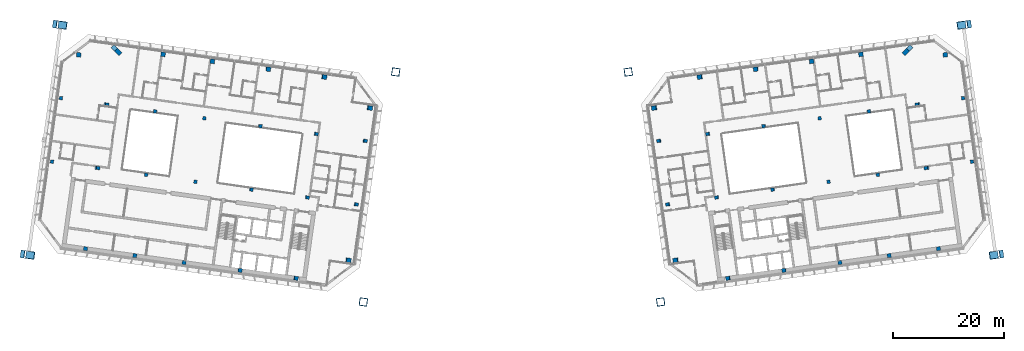
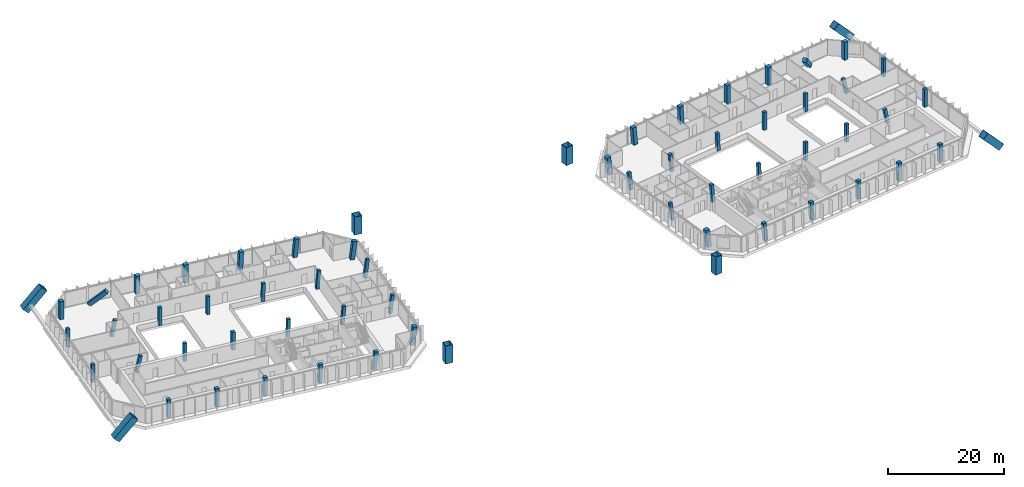
# One storey, part 1 of 29: 62 columns.
"""IFC4 building model written with IfcOpenShell, lengths in metres."""

from ifc_helpers import new_model, si_unit, direction, frame, origin, origin_2d, place, context, subcontext, project, spatial, rectangle, hollow_rectangle, extrude, material, material_profile, profile_set, type_object, element, save


model = new_model("IFC4")

# Units and contexts
model_context = context("Model", 3, precision=1e-05, world=origin(), true_north=direction((0.0, 1.0)))
body_context = subcontext(model_context, "Body", "Model", "MODEL_VIEW")
ifc_project = project(units=[si_unit("LENGTHUNIT", "METRE"), si_unit("AREAUNIT", "SQUARE_METRE"), si_unit("VOLUMEUNIT", "CUBIC_METRE"), si_unit("PLANEANGLEUNIT", "RADIAN"), si_unit("MASSUNIT", "GRAM", prefix="KILO")], contexts=[model_context])

# Site, building, storey
site_placement = place(None, origin())
site = spatial("IfcSite", under=ifc_project, at=site_placement, CompositionType="ELEMENT")
building_placement = place(site_placement, origin())
building = spatial("IfcBuilding", under=site, at=building_placement, Name="Mirante Cascada Hotel Towers", CompositionType="ELEMENT")
storey_placement = place(building_placement, frame((0.0, 0.0, 206.8)))
storey = spatial("IfcBuildingStorey", under=building, at=storey_placement, Name="L49", CompositionType="ELEMENT", Elevation=206.8)

# Columns
ifc_material_1 = material(Name="Steel ASTM A572 Gr 50", Category="steel")
ifc_material_profile_1 = material_profile(ifc_material_1, hollow_rectangle(XDim=1.4, YDim=1.4, WallThickness=0.06, at=origin_2d()), Name="Box column 1400x1400x60 ASTM A572 Gr 50")
ifc_profile_set_1 = profile_set([ifc_material_profile_1], Name="Steel ASTM A572 Gr 50")
column_type_1 = type_object("IfcColumnType", Name="Box column 1400x1400x60 ASTM A572 Gr 50", PredefinedType="COLUMN", material=ifc_profile_set_1)
for number, where, z_axis, x_axis, name in (
    (1, (-21.0321, 17.946, 0.0), (0.0, 0.0, 1.0), (-0.9902681, 0.1391731, 0.0), "Mega column MC1 T1 L49"),
    (2, (-26.8774, -23.6452, 0.0), (0.0, 0.0, 1.0), (-0.9902681, 0.1391731, 0.0), "Mega column MC2 T1 L49"),
):
    element("IfcColumn", number, at=place(storey_placement, frame(where, z_axis=z_axis, x_axis=x_axis)), inside=storey, type_object=column_type_1, Name=name, PredefinedType="COLUMN", context=body_context, shape_type="SweptSolid", body=[
        extrude(hollow_rectangle(XDim=1.4, YDim=1.4, WallThickness=0.06, at=origin_2d()), origin(), (0.0, 0.0, 1.0), 3.8),
    ])
column_1_placement = place(storey_placement, frame((-82.5324, 26.5893, 0.0), z_axis=(0.6698292, -0.0941393, 0.7365233), x_axis=(0.1391745, 0.9902679, 0.0)))
element("IfcColumn", 3, at=column_1_placement, inside=storey, type_object=column_type_1, Name="Mega column MC3 T1 L49", PredefinedType="COLUMN", context=body_context, shape_type="SweptSolid", body=[
    extrude(hollow_rectangle(XDim=1.4, YDim=1.4, WallThickness=0.06, at=origin_2d()), origin(), (0.0, 0.0, 1.0), 5.1594),
])
column_2_placement = place(storey_placement, frame((-88.3776, -15.0019, 0.0), z_axis=(0.6698185, -0.0941405, 0.7365329), x_axis=(0.1391784, 0.9902673, 0.0)))
element("IfcColumn", 4, at=column_2_placement, inside=storey, type_object=column_type_1, Name="Mega column MC4 T1 L49", PredefinedType="COLUMN", context=body_context, shape_type="SweptSolid", body=[
    extrude(hollow_rectangle(XDim=1.4, YDim=1.4, WallThickness=0.06, at=origin_2d()), origin(), (0.0, 0.0, 1.0), 5.1593),
])
for number, where, z_axis, x_axis, name in (
    (5, (21.0321, 17.946, 0.0), (0.0, 0.0, 1.0), (0.9902681, 0.1391731, 0.0), "Mega column MC1 T2 L49"),
    (6, (26.8774, -23.6452, 0.0), (0.0, 0.0, 1.0), (0.9902681, 0.1391731, 0.0), "Mega column MC2 T2 L49"),
):
    element("IfcColumn", number, at=place(storey_placement, frame(where, z_axis=z_axis, x_axis=x_axis)), inside=storey, type_object=column_type_1, Name=name, PredefinedType="COLUMN", context=body_context, shape_type="SweptSolid", body=[
        extrude(hollow_rectangle(XDim=1.4, YDim=1.4, WallThickness=0.06, at=origin_2d()), origin(), (0.0, 0.0, 1.0), 3.8),
    ])
column_3_placement = place(storey_placement, frame((82.5324, 26.5893, 0.0), z_axis=(-0.6698292, -0.0941393, 0.7365233), x_axis=(0.1391745, -0.9902679, 0.0)))
element("IfcColumn", 7, at=column_3_placement, inside=storey, type_object=column_type_1, Name="Mega column MC3 T2 L49", PredefinedType="COLUMN", context=body_context, shape_type="SweptSolid", body=[
    extrude(hollow_rectangle(XDim=1.4, YDim=1.4, WallThickness=0.06, at=origin_2d()), origin(), (0.0, 0.0, 1.0), 5.1594),
])
column_4_placement = place(storey_placement, frame((88.3776, -15.0019, 0.0), z_axis=(-0.6698185, -0.0941405, 0.7365329), x_axis=(0.1391784, -0.9902673, 0.0)))
element("IfcColumn", 8, at=column_4_placement, inside=storey, type_object=column_type_1, Name="Mega column MC4 T2 L49", PredefinedType="COLUMN", context=body_context, shape_type="SweptSolid", body=[
    extrude(hollow_rectangle(XDim=1.4, YDim=1.4, WallThickness=0.06, at=origin_2d()), origin(), (0.0, 0.0, 1.0), 5.1593),
])
ifc_material_2 = material(Name="Concrete C50/60", Category="concrete")
ifc_material_profile_2 = material_profile(ifc_material_2, rectangle(XDim=0.6, YDim=0.6, at=origin_2d()), Name="RC column 600x600 C50/60")
ifc_profile_set_2 = profile_set([ifc_material_profile_2], Name="Concrete C50/60")
column_type_2 = type_object("IfcColumnType", Name="RC column 600x600 C50/60", PredefinedType="COLUMN", material=ifc_profile_set_2)
for number, where, z_axis, x_axis, name in (
    (9, (-26.6181, 5.5023, 0.004), (0.1246866, -0.0175054, 0.9920417), (0.1390316, 0.9902879, 0.0), "Column T1 L49 2"),
    (10, (-28.2326, -5.9848, 0.004), (0.1247124, -0.0175053, 0.9920385), (0.1390029, 0.990292, 0.0), "Column T1 L49 3"),
):
    element("IfcColumn", number, at=place(storey_placement, frame(where, z_axis=z_axis, x_axis=x_axis)), inside=storey, type_object=column_type_2, Name=name, PredefinedType="COLUMN", context=body_context, shape_type="SweptSolid", body=[
        extrude(rectangle(XDim=0.6, YDim=0.6, at=origin_2d()), origin(), (0.0, 0.0, 1.0), 3.816),
    ])
for number, where, z_axis, x_axis, name in (
    (11, (-35.4448, 6.7428, 0.004), (0.0896358, -0.01258, 0.9958952), (0.1389836, 0.9902947, 0.0), "Column T1 L49 6"),
    (12, (-37.0592, -4.7443, 0.004), (0.0896358, -0.01258, 0.9958952), (0.1389836, 0.9902947, 0.0), "Column T1 L49 7"),
):
    element("IfcColumn", number, at=place(storey_placement, frame(where, z_axis=z_axis, x_axis=x_axis)), inside=storey, type_object=column_type_2, Name=name, PredefinedType="COLUMN", context=body_context, shape_type="SweptSolid", body=[
        extrude(rectangle(XDim=0.6, YDim=0.6, at=origin_2d()), origin(), (0.0, 0.0, 1.0), 3.8076),
    ])
for number, where, z_axis, x_axis, name in (
    (13, (-45.5413, 8.1618, 0.004), (0.0449694, -0.0063226, 0.9989684), (0.1392282, 0.9902603, 0.0), "Column T1 L49 10"),
    (14, (-47.1557, -3.3253, 0.004), (0.0449431, -0.0063226, 0.9989695), (0.1393082, 0.9902491, 0.0), "Column T1 L49 11"),
):
    element("IfcColumn", number, at=place(storey_placement, frame(where, z_axis=z_axis, x_axis=x_axis)), inside=storey, type_object=column_type_2, Name=name, PredefinedType="COLUMN", context=body_context, shape_type="SweptSolid", body=[
        extrude(rectangle(XDim=0.6, YDim=0.6, at=origin_2d()), origin(), (0.0, 0.0, 1.0), 3.7959),
    ])
for number, where, z_axis, x_axis, name in (
    (15, (-55.6378, 9.5808, 0.0), (0.0, 0.0, 1.0), (-0.9902681, 0.1391731, 0.0), "Column T1 L49 14"),
    (16, (-57.2522, -1.9063, 0.0), (0.0, 0.0, 1.0), (-0.9902681, 0.1391731, 0.0), "Column T1 L49 15"),
    (17, (-64.5502, 10.8333, 0.0), (0.0, 0.0, 1.0), (-0.9902681, 0.1391731, 0.0), "Column T1 L49 18"),
    (18, (-66.1646, -0.6538, 0.0), (0.0, 0.0, 1.0), (-0.9902681, 0.1391731, 0.0), "Column T1 L49 19"),
):
    element("IfcColumn", number, at=place(storey_placement, frame(where, z_axis=z_axis, x_axis=x_axis)), inside=storey, type_object=column_type_2, Name=name, PredefinedType="COLUMN", context=body_context, shape_type="SweptSolid", body=[
        extrude(rectangle(XDim=0.6, YDim=0.6, at=origin_2d()), origin(), (0.0, 0.0, 1.0), 3.8),
    ])
for number, where, z_axis, x_axis, name in (
    (19, (-73.4766, 12.0879, 0.0039), (0.2076506, -0.0291897, 0.9777674), (0.1392028, 0.9902639, 0.0), "Column T1 L49 22"),
    (20, (-75.091, 0.6008, 0.0039), (0.2076506, -0.0291897, 0.9777674), (0.1392028, 0.9902639, 0.0), "Column T1 L49 23"),
):
    element("IfcColumn", number, at=place(storey_placement, frame(where, z_axis=z_axis, x_axis=x_axis)), inside=storey, type_object=column_type_2, Name=name, PredefinedType="COLUMN", context=body_context, shape_type="SweptSolid", body=[
        extrude(rectangle(XDim=0.6, YDim=0.6, at=origin_2d()), origin(), (0.0, 0.0, 1.0), 3.371),
    ])
for number, where, z_axis, x_axis, name in (
    (21, (-81.5828, 13.2271, 0.0), (0.0, 0.0, 1.0), (-0.9902681, 0.1391731, 0.0), "Column T1 L49 26"),
    (22, (-83.1972, 1.74, 0.0), (0.0, 0.0, 1.0), (-0.9902681, 0.1391731, 0.0), "Column T1 L49 27"),
):
    element("IfcColumn", number, at=place(storey_placement, frame(where, z_axis=z_axis, x_axis=x_axis)), inside=storey, type_object=column_type_2, Name=name, PredefinedType="COLUMN", context=body_context, shape_type="SweptSolid", body=[
        extrude(rectangle(XDim=0.6, YDim=0.6, at=origin_2d()), origin(), (0.0, 0.0, 1.0), 3.8),
    ])
for number, where, z_axis, x_axis, name in (
    (23, (26.6181, 5.5023, 0.004), (-0.1246866, -0.0175054, 0.9920417), (0.1390316, -0.9902879, 0.0), "Column T2 L49 2"),
    (24, (28.2326, -5.9848, 0.004), (-0.1247124, -0.0175053, 0.9920385), (0.1390029, -0.990292, 0.0), "Column T2 L49 3"),
):
    element("IfcColumn", number, at=place(storey_placement, frame(where, z_axis=z_axis, x_axis=x_axis)), inside=storey, type_object=column_type_2, Name=name, PredefinedType="COLUMN", context=body_context, shape_type="SweptSolid", body=[
        extrude(rectangle(XDim=0.6, YDim=0.6, at=origin_2d()), origin(), (0.0, 0.0, 1.0), 3.816),
    ])
for number, where, z_axis, x_axis, name in (
    (25, (35.4448, 6.7428, 0.004), (-0.0896358, -0.01258, 0.9958952), (0.1389836, -0.9902947, 0.0), "Column T2 L49 6"),
    (26, (37.0592, -4.7443, 0.004), (-0.0896358, -0.01258, 0.9958952), (0.1389836, -0.9902947, 0.0), "Column T2 L49 7"),
):
    element("IfcColumn", number, at=place(storey_placement, frame(where, z_axis=z_axis, x_axis=x_axis)), inside=storey, type_object=column_type_2, Name=name, PredefinedType="COLUMN", context=body_context, shape_type="SweptSolid", body=[
        extrude(rectangle(XDim=0.6, YDim=0.6, at=origin_2d()), origin(), (0.0, 0.0, 1.0), 3.8076),
    ])
for number, where, z_axis, x_axis, name in (
    (27, (45.5413, 8.1618, 0.004), (-0.0449694, -0.0063226, 0.9989684), (0.1392282, -0.9902603, 0.0), "Column T2 L49 10"),
    (28, (47.1557, -3.3253, 0.004), (-0.0449431, -0.0063226, 0.9989695), (0.1393082, -0.9902491, 0.0), "Column T2 L49 11"),
):
    element("IfcColumn", number, at=place(storey_placement, frame(where, z_axis=z_axis, x_axis=x_axis)), inside=storey, type_object=column_type_2, Name=name, PredefinedType="COLUMN", context=body_context, shape_type="SweptSolid", body=[
        extrude(rectangle(XDim=0.6, YDim=0.6, at=origin_2d()), origin(), (0.0, 0.0, 1.0), 3.7959),
    ])
for number, where, z_axis, x_axis, name in (
    (29, (55.6378, 9.5808, 0.0), (0.0, 0.0, 1.0), (0.9902681, 0.1391731, 0.0), "Column T2 L49 14"),
    (30, (57.2522, -1.9063, 0.0), (0.0, 0.0, 1.0), (0.9902681, 0.1391731, 0.0), "Column T2 L49 15"),
    (31, (64.5502, 10.8333, 0.0), (0.0, 0.0, 1.0), (0.9902681, 0.1391731, 0.0), "Column T2 L49 18"),
    (32, (66.1646, -0.6538, 0.0), (0.0, 0.0, 1.0), (0.9902681, 0.1391731, 0.0), "Column T2 L49 19"),
):
    element("IfcColumn", number, at=place(storey_placement, frame(where, z_axis=z_axis, x_axis=x_axis)), inside=storey, type_object=column_type_2, Name=name, PredefinedType="COLUMN", context=body_context, shape_type="SweptSolid", body=[
        extrude(rectangle(XDim=0.6, YDim=0.6, at=origin_2d()), origin(), (0.0, 0.0, 1.0), 3.8),
    ])
for number, where, z_axis, x_axis, name in (
    (33, (73.4766, 12.0879, 0.0039), (-0.2076506, -0.0291897, 0.9777674), (0.1392028, -0.9902639, 0.0), "Column T2 L49 22"),
    (34, (75.091, 0.6008, 0.0039), (-0.2076506, -0.0291897, 0.9777674), (0.1392028, -0.9902639, 0.0), "Column T2 L49 23"),
):
    element("IfcColumn", number, at=place(storey_placement, frame(where, z_axis=z_axis, x_axis=x_axis)), inside=storey, type_object=column_type_2, Name=name, PredefinedType="COLUMN", context=body_context, shape_type="SweptSolid", body=[
        extrude(rectangle(XDim=0.6, YDim=0.6, at=origin_2d()), origin(), (0.0, 0.0, 1.0), 3.371),
    ])
for number, where, z_axis, x_axis, name in (
    (35, (81.5828, 13.2271, 0.0), (0.0, 0.0, 1.0), (0.9902681, 0.1391731, 0.0), "Column T2 L49 26"),
    (36, (83.1972, 1.74, 0.0), (0.0, 0.0, 1.0), (0.9902681, 0.1391731, 0.0), "Column T2 L49 27"),
):
    element("IfcColumn", number, at=place(storey_placement, frame(where, z_axis=z_axis, x_axis=x_axis)), inside=storey, type_object=column_type_2, Name=name, PredefinedType="COLUMN", context=body_context, shape_type="SweptSolid", body=[
        extrude(rectangle(XDim=0.6, YDim=0.6, at=origin_2d()), origin(), (0.0, 0.0, 1.0), 3.8),
    ])
ifc_material_3 = material(Name="Concrete C50/60", Category="concrete")
ifc_material_profile_3 = material_profile(ifc_material_3, rectangle(XDim=0.7, YDim=0.7, at=origin_2d()), Name="RC column 700x700 C50/60")
ifc_profile_set_3 = profile_set([ifc_material_profile_3], Name="Concrete C50/60")
column_type_3 = type_object("IfcColumnType", Name="RC column 700x700 C50/60", PredefinedType="COLUMN", material=ifc_profile_set_3)
column_5_placement = place(storey_placement, frame((-39.112, -19.3507, 0.004), z_axis=(0.0896358, -0.0126063, 0.9958948), x_axis=(0.1392682, 0.9902547, 0.0)))
element("IfcColumn", 37, at=column_5_placement, inside=storey, type_object=column_type_3, Name="Column T1 L49 8", PredefinedType="COLUMN", context=body_context, shape_type="SweptSolid", body=[
    extrude(rectangle(XDim=0.7, YDim=0.7, at=origin_2d()), origin(), (0.0, 0.0, 1.0), 3.8076),
])
column_6_placement = place(storey_placement, frame((-49.2085, -17.9317, 0.004), z_axis=(0.0449431, -0.0063226, 0.9989695), x_axis=(0.1393082, 0.9902491, 0.0)))
element("IfcColumn", 38, at=column_6_placement, inside=storey, type_object=column_type_3, Name="Column T1 L49 12", PredefinedType="COLUMN", context=body_context, shape_type="SweptSolid", body=[
    extrude(rectangle(XDim=0.7, YDim=0.7, at=origin_2d()), origin(), (0.0, 0.0, 1.0), 3.7959),
])
for number, where, z_axis, x_axis, name in (
    (39, (-59.305, -16.5128, 0.0), (0.0, 0.0, 1.0), (-0.9902681, 0.1391731, 0.0), "Column T1 L49 16"),
    (40, (-68.2174, -15.2602, 0.0), (0.0, 0.0, 1.0), (-0.9902681, 0.1391731, 0.0), "Column T1 L49 20"),
    (41, (-77.1298, -14.0077, 0.0), (0.0, 0.0, 1.0), (-0.9902681, 0.1391731, 0.0), "Column T1 L49 24"),
):
    element("IfcColumn", number, at=place(storey_placement, frame(where, z_axis=z_axis, x_axis=x_axis)), inside=storey, type_object=column_type_3, Name=name, PredefinedType="COLUMN", context=body_context, shape_type="SweptSolid", body=[
        extrude(rectangle(XDim=0.7, YDim=0.7, at=origin_2d()), origin(), (0.0, 0.0, 1.0), 3.8),
    ])
column_7_placement = place(storey_placement, frame((39.112, -19.3507, 0.004), z_axis=(-0.0896358, -0.0126063, 0.9958948), x_axis=(0.1392682, -0.9902547, 0.0)))
element("IfcColumn", 42, at=column_7_placement, inside=storey, type_object=column_type_3, Name="Column T2 L49 8", PredefinedType="COLUMN", context=body_context, shape_type="SweptSolid", body=[
    extrude(rectangle(XDim=0.7, YDim=0.7, at=origin_2d()), origin(), (0.0, 0.0, 1.0), 3.8076),
])
column_8_placement = place(storey_placement, frame((49.2085, -17.9317, 0.004), z_axis=(-0.0449431, -0.0063226, 0.9989695), x_axis=(0.1393082, -0.9902491, 0.0)))
element("IfcColumn", 43, at=column_8_placement, inside=storey, type_object=column_type_3, Name="Column T2 L49 12", PredefinedType="COLUMN", context=body_context, shape_type="SweptSolid", body=[
    extrude(rectangle(XDim=0.7, YDim=0.7, at=origin_2d()), origin(), (0.0, 0.0, 1.0), 3.7959),
])
for number, where, z_axis, x_axis, name in (
    (44, (59.305, -16.5128, 0.0), (0.0, 0.0, 1.0), (0.9902681, 0.1391731, 0.0), "Column T2 L49 16"),
    (45, (68.2174, -15.2602, 0.0), (0.0, 0.0, 1.0), (0.9902681, 0.1391731, 0.0), "Column T2 L49 20"),
    (46, (77.1298, -14.0077, 0.0), (0.0, 0.0, 1.0), (0.9902681, 0.1391731, 0.0), "Column T2 L49 24"),
):
    element("IfcColumn", number, at=place(storey_placement, frame(where, z_axis=z_axis, x_axis=x_axis)), inside=storey, type_object=column_type_3, Name=name, PredefinedType="COLUMN", context=body_context, shape_type="SweptSolid", body=[
        extrude(rectangle(XDim=0.7, YDim=0.7, at=origin_2d()), origin(), (0.0, 0.0, 1.0), 3.8),
    ])
ifc_material_4 = material(Name="Concrete C50/60", Category="concrete")
ifc_material_profile_4 = material_profile(ifc_material_4, rectangle(XDim=0.8, YDim=0.8, at=origin_2d()), Name="RC column 800x800 C50/60")
ifc_profile_set_4 = profile_set([ifc_material_profile_4], Name="Concrete C50/60")
column_type_4 = type_object("IfcColumnType", Name="RC column 800x800 C50/60", PredefinedType="COLUMN", material=ifc_profile_set_4)
for number, where, z_axis, x_axis, name in (
    (47, (-25.7831, 11.444, 0.004), (0.1246997, -0.0175408, 0.9920395), (0.1392931, 0.9902512, 0.0), "Column T1 L49 1"),
    (48, (-29.6521, -16.0855, 0.004), (0.1246998, -0.0175146, 0.9920399), (0.1390889, 0.9902799, 0.0), "Column T1 L49 4"),
):
    element("IfcColumn", number, at=place(storey_placement, frame(where, z_axis=z_axis, x_axis=x_axis)), inside=storey, type_object=column_type_4, Name=name, PredefinedType="COLUMN", context=body_context, shape_type="SweptSolid", body=[
        extrude(rectangle(XDim=0.8, YDim=0.8, at=origin_2d()), origin(), (0.0, 0.0, 1.0), 3.814),
    ])
column_9_placement = place(storey_placement, frame((-33.9974, 17.0416, 0.004), z_axis=(0.0896358, -0.01258, 0.9958952), x_axis=(0.1389836, 0.9902947, 0.0)))
element("IfcColumn", 49, at=column_9_placement, inside=storey, type_object=column_type_4, Name="Column T1 L49 5", PredefinedType="COLUMN", context=body_context, shape_type="SweptSolid", body=[
    extrude(rectangle(XDim=0.8, YDim=0.8, at=origin_2d()), origin(), (0.0, 0.0, 1.0), 3.8076),
])
column_10_placement = place(storey_placement, frame((-44.0939, 18.4606, 0.004), z_axis=(0.0449694, -0.0063226, 0.9989684), x_axis=(0.1392282, 0.9902603, 0.0)))
element("IfcColumn", 50, at=column_10_placement, inside=storey, type_object=column_type_4, Name="Column T1 L49 9", PredefinedType="COLUMN", context=body_context, shape_type="SweptSolid", body=[
    extrude(rectangle(XDim=0.8, YDim=0.8, at=origin_2d()), origin(), (0.0, 0.0, 1.0), 3.7959),
])
for number, where, z_axis, x_axis, name in (
    (51, (-54.1904, 19.8796, 0.0), (0.0, 0.0, 1.0), (-0.9902681, 0.1391731, 0.0), "Column T1 L49 13"),
    (52, (-63.1028, 21.1321, 0.0), (0.0, 0.0, 1.0), (-0.9902681, 0.1391731, 0.0), "Column T1 L49 17"),
):
    element("IfcColumn", number, at=place(storey_placement, frame(where, z_axis=z_axis, x_axis=x_axis)), inside=storey, type_object=column_type_4, Name=name, PredefinedType="COLUMN", context=body_context, shape_type="SweptSolid", body=[
        extrude(rectangle(XDim=0.8, YDim=0.8, at=origin_2d()), origin(), (0.0, 0.0, 1.0), 3.8),
    ])
column_11_placement = place(storey_placement, frame((-72.0281, 22.3848, 0.0029), z_axis=(0.489618, -0.4903396, 0.7210002), x_axis=(0.7076273, 0.7065859, 0.0)))
element("IfcColumn", 53, at=column_11_placement, inside=storey, type_object=column_type_4, Name="Column T1 L49 21", PredefinedType="COLUMN", context=body_context, shape_type="SweptSolid", body=[
    extrude(rectangle(XDim=0.8, YDim=0.8, at=origin_2d()), origin(), (0.0, 0.0, 1.0), 4.573),
])
column_12_placement = place(storey_placement, frame((-78.362, 21.0551, 0.0), z_axis=(0.0, 0.0, 1.0), x_axis=(-0.9902681, 0.1391731, 0.0)))
element("IfcColumn", 54, at=column_12_placement, inside=storey, type_object=column_type_4, Name="Column T1 L49 25", PredefinedType="COLUMN", context=body_context, shape_type="SweptSolid", body=[
    extrude(rectangle(XDim=0.8, YDim=0.8, at=origin_2d()), origin(), (0.0, 0.0, 1.0), 3.8),
])
for number, where, z_axis, x_axis, name in (
    (55, (25.7831, 11.444, 0.004), (-0.1246997, -0.0175408, 0.9920395), (0.1392931, -0.9902512, 0.0), "Column T2 L49 1"),
    (56, (29.6521, -16.0855, 0.004), (-0.1246998, -0.0175146, 0.9920399), (0.1390889, -0.9902799, 0.0), "Column T2 L49 4"),
):
    element("IfcColumn", number, at=place(storey_placement, frame(where, z_axis=z_axis, x_axis=x_axis)), inside=storey, type_object=column_type_4, Name=name, PredefinedType="COLUMN", context=body_context, shape_type="SweptSolid", body=[
        extrude(rectangle(XDim=0.8, YDim=0.8, at=origin_2d()), origin(), (0.0, 0.0, 1.0), 3.814),
    ])
column_13_placement = place(storey_placement, frame((33.9974, 17.0416, 0.004), z_axis=(-0.0896358, -0.01258, 0.9958952), x_axis=(0.1389836, -0.9902947, 0.0)))
element("IfcColumn", 57, at=column_13_placement, inside=storey, type_object=column_type_4, Name="Column T2 L49 5", PredefinedType="COLUMN", context=body_context, shape_type="SweptSolid", body=[
    extrude(rectangle(XDim=0.8, YDim=0.8, at=origin_2d()), origin(), (0.0, 0.0, 1.0), 3.8076),
])
column_14_placement = place(storey_placement, frame((44.0939, 18.4606, 0.004), z_axis=(-0.0449694, -0.0063226, 0.9989684), x_axis=(0.1392282, -0.9902603, 0.0)))
element("IfcColumn", 58, at=column_14_placement, inside=storey, type_object=column_type_4, Name="Column T2 L49 9", PredefinedType="COLUMN", context=body_context, shape_type="SweptSolid", body=[
    extrude(rectangle(XDim=0.8, YDim=0.8, at=origin_2d()), origin(), (0.0, 0.0, 1.0), 3.7959),
])
for number, where, z_axis, x_axis, name in (
    (59, (54.1904, 19.8796, 0.0), (0.0, 0.0, 1.0), (0.9902681, 0.1391731, 0.0), "Column T2 L49 13"),
    (60, (63.1028, 21.1321, 0.0), (0.0, 0.0, 1.0), (0.9902681, 0.1391731, 0.0), "Column T2 L49 17"),
):
    element("IfcColumn", number, at=place(storey_placement, frame(where, z_axis=z_axis, x_axis=x_axis)), inside=storey, type_object=column_type_4, Name=name, PredefinedType="COLUMN", context=body_context, shape_type="SweptSolid", body=[
        extrude(rectangle(XDim=0.8, YDim=0.8, at=origin_2d()), origin(), (0.0, 0.0, 1.0), 3.8),
    ])
column_15_placement = place(storey_placement, frame((72.0281, 22.3848, 0.0029), z_axis=(-0.489618, -0.4903396, 0.7210002), x_axis=(0.7076273, -0.7065859, 0.0)))
element("IfcColumn", 61, at=column_15_placement, inside=storey, type_object=column_type_4, Name="Column T2 L49 21", PredefinedType="COLUMN", context=body_context, shape_type="SweptSolid", body=[
    extrude(rectangle(XDim=0.8, YDim=0.8, at=origin_2d()), origin(), (0.0, 0.0, 1.0), 4.573),
])
column_16_placement = place(storey_placement, frame((78.362, 21.0551, 0.0), z_axis=(0.0, 0.0, 1.0), x_axis=(0.9902681, 0.1391731, 0.0)))
element("IfcColumn", 62, at=column_16_placement, inside=storey, type_object=column_type_4, Name="Column T2 L49 25", PredefinedType="COLUMN", context=body_context, shape_type="SweptSolid", body=[
    extrude(rectangle(XDim=0.8, YDim=0.8, at=origin_2d()), origin(), (0.0, 0.0, 1.0), 3.8),
])

save(model, "model.ifc")
